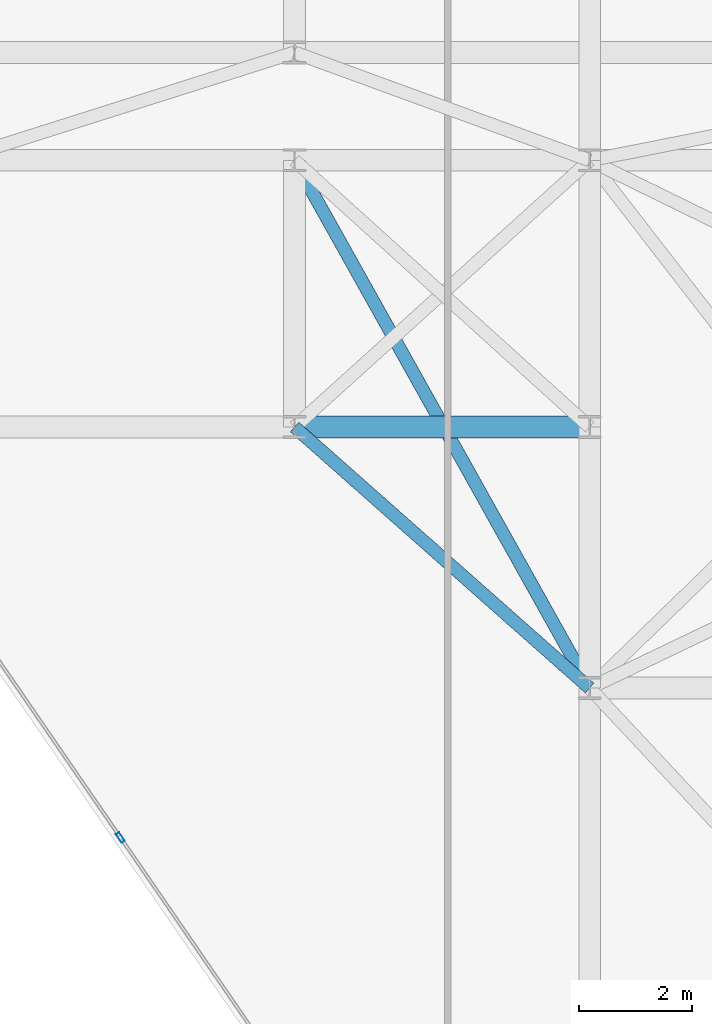
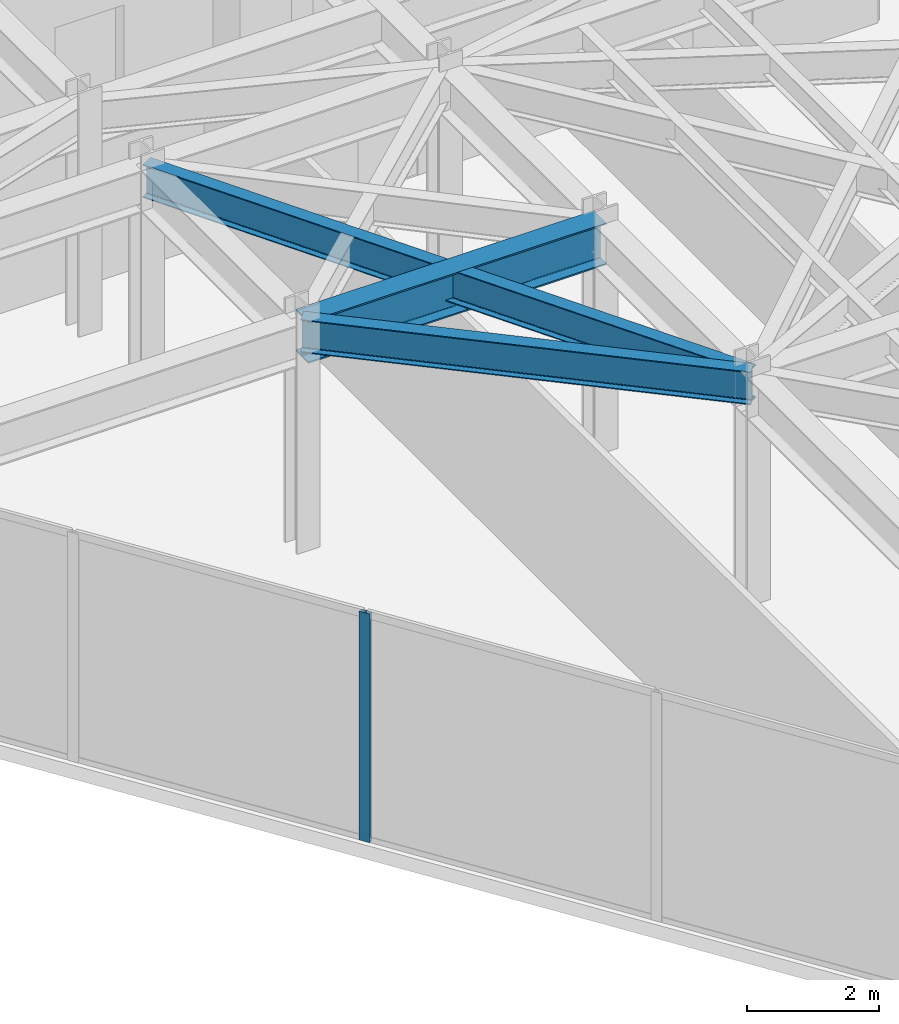
# One storey, part 16 of 25: 3 beams, 1 member, 1 element without a shape of its own.
"""IFC4 building model written with IfcOpenShell, lengths in metres."""

import ifcopenshell
import ifcopenshell.guid

model = None  # the IFC model being written
_history = None  # IfcOwnerHistory: only IFC2X3 demands one
_inside = {}  # id of a spatial element -> (the spatial element, [elements in it])
_under = {}  # id of a project, library or spatial element -> (it, [spatial elements below it])
_declared = {}  # id of a project -> (the project, [libraries it declares])
_typed = {}  # id of a type object -> (the type object, [elements of that type])
_made_of = {}  # id of a material, layer set ... -> (it, [elements and type objects made of it])


def new_model(schema):
    """Start an empty IFC model of exactly this schema.

    Asked for "IFC4X3", IfcOpenShell would pick the latest addendum, in which some entities
    have other attributes; the version numbers below select the first issue.
    IFC2X3 requires an IfcOwnerHistory on every rooted entity: one is made here for all.
    """
    global model, _history
    if schema == "IFC4X3":
        model = ifcopenshell.file(schema_version=(4, 3, 0, 0))
    else:
        model = ifcopenshell.file(schema=schema)
    _inside.clear()
    _under.clear()
    _declared.clear()
    _typed.clear()
    _made_of.clear()
    _history = None
    if model.schema == "IFC2X3":
        org = make("IfcOrganization", Name="unknown")
        user = make(
            "IfcPersonAndOrganization",
            ThePerson=make("IfcPerson", FamilyName="unknown"),
            TheOrganization=org,
        )
        app = make(
            "IfcApplication",
            ApplicationDeveloper=org,
            Version="unknown",
            ApplicationFullName="unknown",
            ApplicationIdentifier="unknown",
        )
        _history = make(
            "IfcOwnerHistory",
            OwningUser=user,
            OwningApplication=app,
            ChangeAction="ADDED",
            CreationDate=0,
        )
    return model


def make(cls, **values):
    """One entity of the class cls with the attributes given. An attribute that is None is left unset."""
    return model.create_entity(
        cls, **{name: value for name, value in values.items() if value is not None}
    )


def rooted(cls, **values):
    """An entity with a GlobalId (a new one), such as an element, a storey or a relation."""
    return make(cls, GlobalId=ifcopenshell.guid.new(), OwnerHistory=_history, **values)


def si_unit(unit_type, name, prefix=None):
    """IfcSIUnit, for example si_unit("LENGTHUNIT", "METRE", prefix="MILLI")."""
    return make("IfcSIUnit", UnitType=unit_type, Prefix=prefix, Name=name)


def assignment(units):
    """IfcUnitAssignment: the units of a project."""
    return None if units is None else make("IfcUnitAssignment", Units=units)


def point(xyz):
    """IfcCartesianPoint."""
    return None if xyz is None else make("IfcCartesianPoint", Coordinates=xyz)


def direction(xyz):
    """IfcDirection."""
    return None if xyz is None else make("IfcDirection", DirectionRatios=xyz)


def frame(location, z_axis=None, x_axis=None):
    """IfcAxis2Placement3D, a coordinate frame: its origin and axes. An axis left out is left unset."""
    return make(
        "IfcAxis2Placement3D",
        Location=point(location),
        Axis=direction(z_axis),
        RefDirection=direction(x_axis),
    )


def frame_2d(location, x_axis=None):
    """IfcAxis2Placement2D, a coordinate frame in the plane: its origin and x axis."""
    return make(
        "IfcAxis2Placement2D", Location=point(location), RefDirection=direction(x_axis)
    )


def origin():
    """The frame at (0, 0, 0) with its axes left unset."""
    return frame((0.0, 0.0, 0.0))


def origin_2d():
    """The frame at (0, 0) in the plane with its x axis left unset."""
    return frame_2d((0.0, 0.0))


def place(relative_to, where):
    """IfcLocalPlacement: puts the frame where relative to a parent placement (None: the world)."""
    return make(
        "IfcLocalPlacement", PlacementRelTo=relative_to, RelativePlacement=where
    )


def context(
    kind, dimensions, precision=None, world=None, true_north=None, identifier=None
):
    """IfcGeometricRepresentationContext, for example the 3D "Model" context."""
    return make(
        "IfcGeometricRepresentationContext",
        ContextIdentifier=identifier,
        ContextType=kind,
        CoordinateSpaceDimension=dimensions,
        Precision=precision,
        WorldCoordinateSystem=world,
        TrueNorth=true_north,
    )


def subcontext(parent, identifier, kind, view, scale=None):
    """IfcGeometricRepresentationSubContext, for example "Body" below "Model"."""
    return make(
        "IfcGeometricRepresentationSubContext",
        ContextIdentifier=identifier,
        ContextType=kind,
        ParentContext=parent,
        TargetScale=scale,
        TargetView=view,
    )


def project(units=None, contexts=None):
    """IfcProject with its units and contexts."""
    return rooted(
        "IfcProject",
        Name="project",
        RepresentationContexts=contexts,
        UnitsInContext=assignment(units),
    )


def spatial(cls, under=None, at=None, **own):
    """A site, building, storey or space (cls), placed at a placement, below another one or the project."""
    s = rooted(cls, ObjectPlacement=at, **own)
    if under is not None:
        _under.setdefault(under.id(), (under, []))[1].append(s)
    return s


def profile(cls, at=None, kind="AREA", **sizes):
    """A parametric profile (cls). Its sizes go by their IFC names, for example OverallWidth=200.0."""
    return make(cls, ProfileType=kind, Position=at, **sizes)


def hollow_rectangle(**sizes):
    """IfcRectangleHollowProfileDef."""
    return profile("IfcRectangleHollowProfileDef", **sizes)


def i_section(**sizes):
    """IfcIShapeProfileDef."""
    return profile("IfcIShapeProfileDef", **sizes)


def extrude(swept, where, along, depth):
    """IfcExtrudedAreaSolid: the profile swept, set in the frame where, extruded along a direction by depth."""
    return make(
        "IfcExtrudedAreaSolid",
        SweptArea=swept,
        Position=where,
        ExtrudedDirection=direction(along),
        Depth=depth,
    )


def shape(context_of_items, identifier, shape_type, items):
    """IfcShapeRepresentation: the items that make up one representation, for example the "Body"."""
    return make(
        "IfcShapeRepresentation",
        ContextOfItems=context_of_items,
        RepresentationIdentifier=identifier,
        RepresentationType=shape_type,
        Items=items,
    )


def material(Name=None, Category=None):
    """IfcMaterial."""
    return make("IfcMaterial", Name=Name, Category=Category)


def layer(
    of_material, thickness, ventilated=None, Name=None, Category=None, Priority=None
):
    """IfcMaterialLayer: one layer of a wall or slab, of a material (None: an air gap)."""
    return make(
        "IfcMaterialLayer",
        Material=of_material,
        LayerThickness=thickness,
        IsVentilated=ventilated,
        Name=Name,
        Category=Category,
        Priority=Priority,
    )


def layer_set(layers, Name=None):
    """IfcMaterialLayerSet."""
    return make("IfcMaterialLayerSet", MaterialLayers=layers, LayerSetName=Name)


def material_profile(
    of_material, cross_section, Name=None, Category=None, Priority=None
):
    """IfcMaterialProfile: a cross section and its material."""
    return make(
        "IfcMaterialProfile",
        Name=Name,
        Material=of_material,
        Profile=cross_section,
        Priority=Priority,
        Category=Category,
    )


def profile_set(profiles, Name=None, composite=None):
    """IfcMaterialProfileSet."""
    return make(
        "IfcMaterialProfileSet",
        Name=Name,
        MaterialProfiles=profiles,
        CompositeProfile=composite,
    )


def made_of(thing, what):
    """Note that an element or type object is made of a material, layer set ...; save() writes the relation."""
    if what is not None:
        _made_of.setdefault(what.id(), (what, []))[1].append(thing)
    return thing


def type_object(cls, material=None, **own):
    """A type object (cls), such as IfcWallType, which elements share."""
    return made_of(rooted(cls, **own), material)


def element(
    cls,
    number,
    at=None,
    inside=None,
    cuts=None,
    type_object=None,
    material=None,
    context=None,
    identifier="Body",
    shape_type=None,
    held_by="IfcProductDefinitionShape",
    body=None,
    shapes=None,
    **own,
):
    """One element of the class cls, such as IfcWall. Its Tag is "e" and its number.

    at: its placement. inside: the storey or other place that contains it. cuts: it is an
    opening in that element (IfcRelVoidsElement). A single representation is given by context,
    identifier, shape_type and body (its items); several are given by shapes. held_by: the class
    of the entity that holds the representations. save() writes the other relations.
    """
    e = rooted(cls, Tag="e%d" % number, ObjectPlacement=at, **own)
    if body is not None:
        shapes = [shape(context, identifier, shape_type, body)]
    if shapes is not None:
        e.Representation = make(held_by, Representations=shapes)
    if inside is not None:
        _inside.setdefault(inside.id(), (inside, []))[1].append(e)
    if cuts is not None:
        rooted(
            "IfcRelVoidsElement", RelatingBuildingElement=cuts, RelatedOpeningElement=e
        )
    if type_object is not None:
        _typed.setdefault(type_object.id(), (type_object, []))[1].append(e)
    return made_of(e, material)


def aggregate(whole, parts):
    """IfcRelAggregates: a whole, such as a stair, and the parts it consists of."""
    return rooted("IfcRelAggregates", RelatingObject=whole, RelatedObjects=parts)


def save(model, path):
    """Write the relations noted so far, then the file.

    IfcRelAggregates (storeys below a building ...), IfcRelContainedInSpatialStructure (elements
    in a storey), IfcRelDefinesByType, IfcRelAssociatesMaterial and IfcRelDeclares: one each for
    every whole, place, type object, material and project.
    """
    for whole, parts in _under.values():
        aggregate(whole, parts)
    for where, things in _inside.values():
        rooted(
            "IfcRelContainedInSpatialStructure",
            RelatedElements=things,
            RelatingStructure=where,
        )
    for kind, things in _typed.values():
        rooted("IfcRelDefinesByType", RelatedObjects=things, RelatingType=kind)
    for what, things in _made_of.values():
        rooted("IfcRelAssociatesMaterial", RelatedObjects=things, RelatingMaterial=what)
    for by, libraries in _declared.values():
        rooted("IfcRelDeclares", RelatingContext=by, RelatedDefinitions=libraries)
    model.write(path)


model = new_model("IFC4")

# Units and contexts
model_context = context("Model", 3, precision=1e-05, world=origin(), true_north=direction((0.0, 1.0)))
body_context = subcontext(model_context, "Body", "Model", "MODEL_VIEW")
ifc_project = project(units=[si_unit("LENGTHUNIT", "METRE"), si_unit("AREAUNIT", "SQUARE_METRE"), si_unit("VOLUMEUNIT", "CUBIC_METRE"), si_unit("PLANEANGLEUNIT", "RADIAN"), si_unit("MASSUNIT", "GRAM", prefix="KILO")], contexts=[model_context])

# Site, building, storey
site_placement = place(None, origin())
site = spatial("IfcSite", under=ifc_project, at=site_placement, CompositionType="ELEMENT")
building_placement = place(site_placement, origin())
building = spatial("IfcBuilding", under=site, at=building_placement, Name="Kravanh Interchange Tower", CompositionType="ELEMENT")
storey_placement = place(building_placement, frame((0.0, 0.0, 220.5)))
storey = spatial("IfcBuildingStorey", under=building, at=storey_placement, Name="L53", CompositionType="ELEMENT", Elevation=220.5)

# Curtain wall, member
ifc_material_1 = material(Name="Anodised Bronze Aluminium", Category="aluminium")
ifc_layer = layer(ifc_material_1, 0.179931640625)
ifc_layer_set = layer_set([ifc_layer], Name="Unitised Curtain Wall System CW-SKY Sky Observatory")
curtain_wall_type = type_object("IfcCurtainWallType", Name="Unitised Curtain Wall System CW-SKY Sky Observatory", PredefinedType="NOTDEFINED", material=ifc_layer_set)
curtain_wall_placement = place(storey_placement, origin())
curtain_wall = element("IfcCurtainWall", 1, at=curtain_wall_placement, inside=storey, type_object=curtain_wall_type, Name="L53 Unitised Curtain Wall CW-L53-05", PredefinedType="NOTDEFINED")
ifc_material_2 = material(Name="Anodised Bronze Aluminium", Category="aluminium")
ifc_material_profile_1 = material_profile(ifc_material_2, hollow_rectangle(XDim=0.070068359375, YDim=0.179931640625, WallThickness=0.00390625, at=origin_2d()), Name="ALU70X180X4")
ifc_profile_set_1 = profile_set([ifc_material_profile_1], Name="Anodised Bronze Aluminium")
member_type = type_object("IfcMemberType", Name="Curtain Wall Mullion ALU70X180X4 Bronze", PredefinedType="MULLION", material=ifc_profile_set_1)
member_placement = place(storey_placement, frame((47.7314453125, 19.56591796875, 0.0), z_axis=(0.0, 0.0, 1.0), x_axis=(-0.824042223035, -0.566528388217, 0.0)))
member = element("IfcMember", 2, at=member_placement, type_object=member_type, Name="CW-SKY mullion 3", PredefinedType="MULLION", context=body_context, shape_type="SweptSolid", body=[
    extrude(hollow_rectangle(XDim=0.070068359375, YDim=0.179931640625, WallThickness=0.00390625, at=origin_2d()), origin(), (0.0, 0.0, 1.0), 4.219970703125),
])
aggregate(curtain_wall, [member])

# Beams
ifc_material_3 = material(Name="Structural Steel S355", Category="steel")
ifc_material_profile_2 = material_profile(ifc_material_3, i_section(OverallWidth=0.381103515625, OverallDepth=0.77294921875, WebThickness=0.0166015625, FlangeThickness=0.027099609375, FilletRadius=0.02490234375, at=origin_2d()), Name="W30X173")
ifc_profile_set_2 = profile_set([ifc_material_profile_2], Name="Structural Steel S355")
beam_type_1 = type_object("IfcBeamType", Name="Floor Beam W30X173 Structural Steel S355", PredefinedType="BEAM", material=ifc_profile_set_2)
beam_1_placement = place(storey_placement, frame((50.800048828125, 26.800048828125, 3.83349609375), z_axis=(1.0, 0.0, 0.0), x_axis=(0.0, 1.0, 0.0)))
element("IfcBeam", 3, at=beam_1_placement, inside=storey, type_object=beam_type_1, Name="L53 Primary Floor Girder 50", PredefinedType="BEAM", context=body_context, shape_type="SweptSolid", body=[
    extrude(i_section(OverallWidth=0.381103515625, OverallDepth=0.77294921875, WebThickness=0.0166015625, FlangeThickness=0.027099609375, FilletRadius=0.02490234375, at=origin_2d()), origin(), (0.0, 0.0, 1.0), 5.199951171875),
])
ifc_material_4 = material(Name="Structural Steel S355", Category="steel")
ifc_material_profile_3 = material_profile(ifc_material_4, i_section(OverallWidth=0.22802734375, OverallDepth=0.60791015625, WebThickness=0.01123046875, FlangeThickness=0.017333984375, FilletRadius=0.02197265625, at=origin_2d()), Name="W24X76")
ifc_profile_set_3 = profile_set([ifc_material_profile_3], Name="Structural Steel S355")
beam_type_2 = type_object("IfcBeamType", Name="Floor Spandrel W24X76 Structural Steel S355", PredefinedType="SPANDREL", material=ifc_profile_set_3)
beam_2_placement = place(storey_placement, frame((50.800048828125, 26.800048828125, 3.916015625), z_axis=(0.74898649432, -0.662585263439, 0.0), x_axis=(0.662585263439, 0.74898649432, 0.0)))
element("IfcBeam", 4, at=beam_2_placement, inside=storey, type_object=beam_type_2, Name="L53 Perimeter Spandrel 51", PredefinedType="SPANDREL", context=body_context, shape_type="SweptSolid", body=[
    extrude(i_section(OverallWidth=0.22802734375, OverallDepth=0.60791015625, WebThickness=0.01123046875, FlangeThickness=0.017333984375, FilletRadius=0.02197265625, at=origin_2d()), origin(), (0.0, 0.0, 1.0), 6.942626953125),
])
beam_3_placement = place(storey_placement, frame((50.800048828125, 31.5, 3.916015625), z_axis=(0.488026248114, -0.872828952975, 0.0), x_axis=(0.872828952975, 0.488026248114, 0.0)))
element("IfcBeam", 5, at=beam_3_placement, inside=storey, type_object=beam_type_2, Name="L53 Perimeter Spandrel 78", PredefinedType="SPANDREL", context=body_context, shape_type="SweptSolid", body=[
    extrude(i_section(OverallWidth=0.22802734375, OverallDepth=0.60791015625, WebThickness=0.01123046875, FlangeThickness=0.017333984375, FilletRadius=0.02197265625, at=origin_2d()), origin(), (0.0, 0.0, 1.0), 10.655029296875),
])

save(model, "model.ifc")
